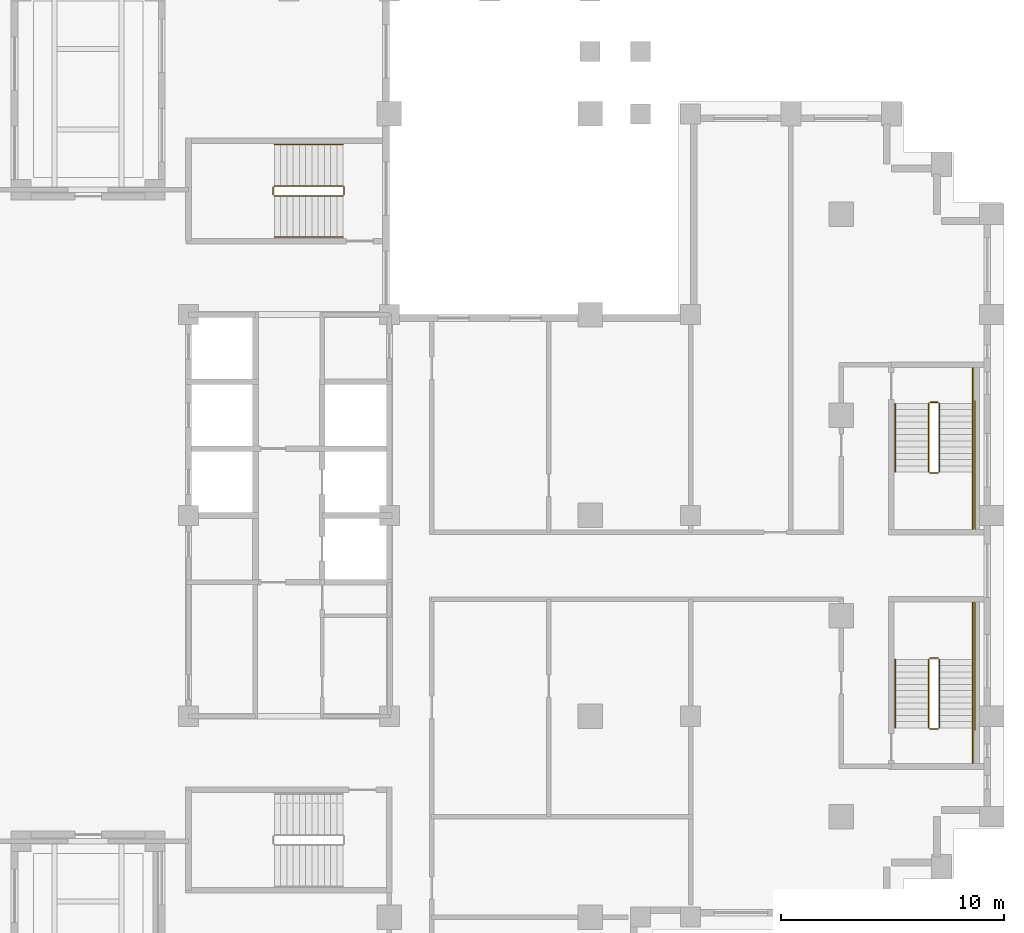
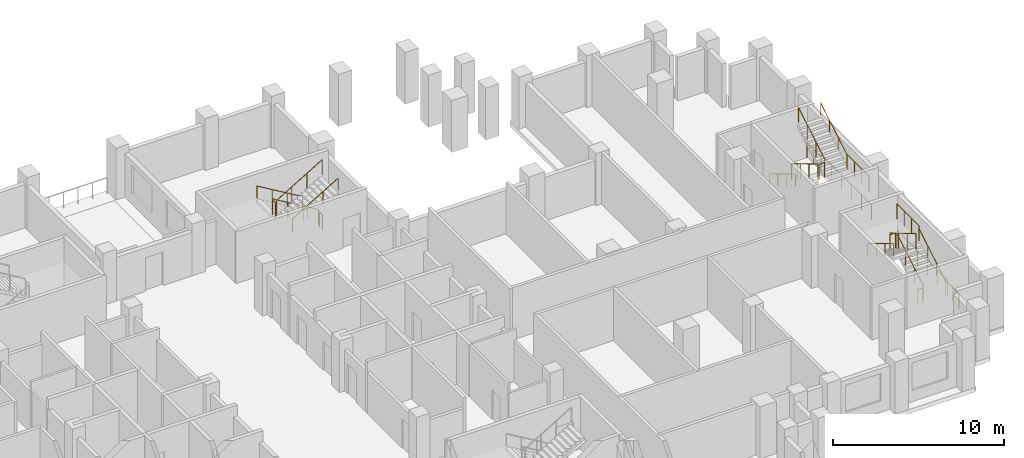
# One storey, part 12 of 12: 3 railings.
"""IFC4 building model written with IfcOpenShell, lengths in metres."""

import ifcopenshell
import ifcopenshell.guid

model = None  # the IFC model being written
_history = None  # IfcOwnerHistory: only IFC2X3 demands one
_inside = {}  # id of a spatial element -> (the spatial element, [elements in it])
_under = {}  # id of a project, library or spatial element -> (it, [spatial elements below it])
_declared = {}  # id of a project -> (the project, [libraries it declares])
_typed = {}  # id of a type object -> (the type object, [elements of that type])
_made_of = {}  # id of a material, layer set ... -> (it, [elements and type objects made of it])


def new_model(schema):
    """Start an empty IFC model of exactly this schema.

    Asked for "IFC4X3", IfcOpenShell would pick the latest addendum, in which some entities
    have other attributes; the version numbers below select the first issue.
    IFC2X3 requires an IfcOwnerHistory on every rooted entity: one is made here for all.
    """
    global model, _history
    if schema == "IFC4X3":
        model = ifcopenshell.file(schema_version=(4, 3, 0, 0))
    else:
        model = ifcopenshell.file(schema=schema)
    _inside.clear()
    _under.clear()
    _declared.clear()
    _typed.clear()
    _made_of.clear()
    _history = None
    if model.schema == "IFC2X3":
        org = make("IfcOrganization", Name="unknown")
        user = make(
            "IfcPersonAndOrganization",
            ThePerson=make("IfcPerson", FamilyName="unknown"),
            TheOrganization=org,
        )
        app = make(
            "IfcApplication",
            ApplicationDeveloper=org,
            Version="unknown",
            ApplicationFullName="unknown",
            ApplicationIdentifier="unknown",
        )
        _history = make(
            "IfcOwnerHistory",
            OwningUser=user,
            OwningApplication=app,
            ChangeAction="ADDED",
            CreationDate=0,
        )
    return model


def make(cls, **values):
    """One entity of the class cls with the attributes given. An attribute that is None is left unset."""
    return model.create_entity(
        cls, **{name: value for name, value in values.items() if value is not None}
    )


def rooted(cls, **values):
    """An entity with a GlobalId (a new one), such as an element, a storey or a relation."""
    return make(cls, GlobalId=ifcopenshell.guid.new(), OwnerHistory=_history, **values)


def si_unit(unit_type, name, prefix=None):
    """IfcSIUnit, for example si_unit("LENGTHUNIT", "METRE", prefix="MILLI")."""
    return make("IfcSIUnit", UnitType=unit_type, Prefix=prefix, Name=name)


def assignment(units):
    """IfcUnitAssignment: the units of a project."""
    return None if units is None else make("IfcUnitAssignment", Units=units)


def point(xyz):
    """IfcCartesianPoint."""
    return None if xyz is None else make("IfcCartesianPoint", Coordinates=xyz)


def direction(xyz):
    """IfcDirection."""
    return None if xyz is None else make("IfcDirection", DirectionRatios=xyz)


def frame(location, z_axis=None, x_axis=None):
    """IfcAxis2Placement3D, a coordinate frame: its origin and axes. An axis left out is left unset."""
    return make(
        "IfcAxis2Placement3D",
        Location=point(location),
        Axis=direction(z_axis),
        RefDirection=direction(x_axis),
    )


def frame_2d(location, x_axis=None):
    """IfcAxis2Placement2D, a coordinate frame in the plane: its origin and x axis."""
    return make(
        "IfcAxis2Placement2D", Location=point(location), RefDirection=direction(x_axis)
    )


def origin():
    """The frame at (0, 0, 0) with its axes left unset."""
    return frame((0.0, 0.0, 0.0))


def origin_2d():
    """The frame at (0, 0) in the plane with its x axis left unset."""
    return frame_2d((0.0, 0.0))


def place(relative_to, where):
    """IfcLocalPlacement: puts the frame where relative to a parent placement (None: the world)."""
    return make(
        "IfcLocalPlacement", PlacementRelTo=relative_to, RelativePlacement=where
    )


def context(
    kind, dimensions, precision=None, world=None, true_north=None, identifier=None
):
    """IfcGeometricRepresentationContext, for example the 3D "Model" context."""
    return make(
        "IfcGeometricRepresentationContext",
        ContextIdentifier=identifier,
        ContextType=kind,
        CoordinateSpaceDimension=dimensions,
        Precision=precision,
        WorldCoordinateSystem=world,
        TrueNorth=true_north,
    )


def subcontext(parent, identifier, kind, view, scale=None):
    """IfcGeometricRepresentationSubContext, for example "Body" below "Model"."""
    return make(
        "IfcGeometricRepresentationSubContext",
        ContextIdentifier=identifier,
        ContextType=kind,
        ParentContext=parent,
        TargetScale=scale,
        TargetView=view,
    )


def project(units=None, contexts=None):
    """IfcProject with its units and contexts."""
    return rooted(
        "IfcProject",
        Name="project",
        RepresentationContexts=contexts,
        UnitsInContext=assignment(units),
    )


def spatial(cls, under=None, at=None, **own):
    """A site, building, storey or space (cls), placed at a placement, below another one or the project."""
    s = rooted(cls, ObjectPlacement=at, **own)
    if under is not None:
        _under.setdefault(under.id(), (under, []))[1].append(s)
    return s


def profile(cls, at=None, kind="AREA", **sizes):
    """A parametric profile (cls). Its sizes go by their IFC names, for example OverallWidth=200.0."""
    return make(cls, ProfileType=kind, Position=at, **sizes)


def circle(**sizes):
    """IfcCircleProfileDef."""
    return profile("IfcCircleProfileDef", **sizes)


def extrude(swept, where, along, depth):
    """IfcExtrudedAreaSolid: the profile swept, set in the frame where, extruded along a direction by depth."""
    return make(
        "IfcExtrudedAreaSolid",
        SweptArea=swept,
        Position=where,
        ExtrudedDirection=direction(along),
        Depth=depth,
    )


def shape(context_of_items, identifier, shape_type, items):
    """IfcShapeRepresentation: the items that make up one representation, for example the "Body"."""
    return make(
        "IfcShapeRepresentation",
        ContextOfItems=context_of_items,
        RepresentationIdentifier=identifier,
        RepresentationType=shape_type,
        Items=items,
    )


def material(Name=None, Category=None):
    """IfcMaterial."""
    return make("IfcMaterial", Name=Name, Category=Category)


def made_of(thing, what):
    """Note that an element or type object is made of a material, layer set ...; save() writes the relation."""
    if what is not None:
        _made_of.setdefault(what.id(), (what, []))[1].append(thing)
    return thing


def type_object(cls, material=None, **own):
    """A type object (cls), such as IfcWallType, which elements share."""
    return made_of(rooted(cls, **own), material)


def element(
    cls,
    number,
    at=None,
    inside=None,
    cuts=None,
    type_object=None,
    material=None,
    context=None,
    identifier="Body",
    shape_type=None,
    held_by="IfcProductDefinitionShape",
    body=None,
    shapes=None,
    **own,
):
    """One element of the class cls, such as IfcWall. Its Tag is "e" and its number.

    at: its placement. inside: the storey or other place that contains it. cuts: it is an
    opening in that element (IfcRelVoidsElement). A single representation is given by context,
    identifier, shape_type and body (its items); several are given by shapes. held_by: the class
    of the entity that holds the representations. save() writes the other relations.
    """
    e = rooted(cls, Tag="e%d" % number, ObjectPlacement=at, **own)
    if body is not None:
        shapes = [shape(context, identifier, shape_type, body)]
    if shapes is not None:
        e.Representation = make(held_by, Representations=shapes)
    if inside is not None:
        _inside.setdefault(inside.id(), (inside, []))[1].append(e)
    if cuts is not None:
        rooted(
            "IfcRelVoidsElement", RelatingBuildingElement=cuts, RelatedOpeningElement=e
        )
    if type_object is not None:
        _typed.setdefault(type_object.id(), (type_object, []))[1].append(e)
    return made_of(e, material)


def aggregate(whole, parts):
    """IfcRelAggregates: a whole, such as a stair, and the parts it consists of."""
    return rooted("IfcRelAggregates", RelatingObject=whole, RelatedObjects=parts)


def save(model, path):
    """Write the relations noted so far, then the file.

    IfcRelAggregates (storeys below a building ...), IfcRelContainedInSpatialStructure (elements
    in a storey), IfcRelDefinesByType, IfcRelAssociatesMaterial and IfcRelDeclares: one each for
    every whole, place, type object, material and project.
    """
    for whole, parts in _under.values():
        aggregate(whole, parts)
    for where, things in _inside.values():
        rooted(
            "IfcRelContainedInSpatialStructure",
            RelatedElements=things,
            RelatingStructure=where,
        )
    for kind, things in _typed.values():
        rooted("IfcRelDefinesByType", RelatedObjects=things, RelatingType=kind)
    for what, things in _made_of.values():
        rooted("IfcRelAssociatesMaterial", RelatedObjects=things, RelatingMaterial=what)
    for by, libraries in _declared.values():
        rooted("IfcRelDeclares", RelatingContext=by, RelatedDefinitions=libraries)
    model.write(path)


model = new_model("IFC4")

# Units and contexts
model_context = context("Model", 3, precision=1e-05, world=origin(), true_north=direction((0.0, 1.0)))
body_context = subcontext(model_context, "Body", "Model", "MODEL_VIEW")
ifc_project = project(units=[si_unit("LENGTHUNIT", "METRE"), si_unit("AREAUNIT", "SQUARE_METRE"), si_unit("VOLUMEUNIT", "CUBIC_METRE"), si_unit("PLANEANGLEUNIT", "RADIAN"), si_unit("MASSUNIT", "GRAM", prefix="KILO")], contexts=[model_context])

# Site, building, storey
site_placement = place(None, origin())
site = spatial("IfcSite", under=ifc_project, at=site_placement, CompositionType="ELEMENT")
building_placement = place(site_placement, origin())
building = spatial("IfcBuilding", under=site, at=building_placement, Name="Corbelhall Arena Tower", CompositionType="ELEMENT")
storey_placement = place(building_placement, frame((0.0, 0.0, 126.0)))
storey = spatial("IfcBuildingStorey", under=building, at=storey_placement, Name="L23", CompositionType="ELEMENT", Elevation=126.0)

# Railings
ifc_material = material(Name="Steel ASTM A500 Gr C", Category="steel")
railing_type = type_object("IfcRailingType", Name="IN-GD-1100", PredefinedType="GUARDRAIL", material=ifc_material)
railing_1_placement = place(storey_placement, frame((11.425048828125, 14.77490234375, 0.166748046875)))
element("IfcRailing", 1, at=railing_1_placement, inside=storey, type_object=railing_type, Name="L23 ST3 stair guards and handrails", PredefinedType="GUARDRAIL", context=body_context, shape_type="SweptSolid", body=[
    extrude(circle(Radius=0.02392578125, at=origin_2d()), frame((0.0, 0.0, 1.076171875), z_axis=(-0.859308565015, 0.0, 0.511457515432), x_axis=(0.0, -1.0, 0.0)), (0.0, 0.0, 1.0), 3.58447265625),
    extrude(circle(Radius=0.02392578125, at=origin_2d()), frame((-3.130126953125, -0.0498046875, 2.9091796875), z_axis=(0.0, -1.0, 0.0), x_axis=(1.0, 0.0, 0.0)), (0.0, 0.0, 1.0), 0.35009765625),
    extrude(circle(Radius=0.02392578125, at=origin_2d()), frame((-3.080078125, -0.449951171875, 3.076171875), z_axis=(0.859308565015, 0.0, 0.511457515432), x_axis=(0.0, 1.0, 0.0)), (0.0, 0.0, 1.0), 3.58447265625),
    extrude(circle(Radius=0.02392578125, at=origin_2d()), frame((0.050048828125, -0.0498046875, 0.9091796875), z_axis=(0.0, -1.0, 0.0), x_axis=(1.0, 0.0, 0.0)), (0.0, 0.0, 1.0), 0.35009765625),
    extrude(circle(Radius=0.02392578125, at=origin_2d()), frame((0.0, 1.85009765625, 0.8759765625), z_axis=(-0.859308565015, 0.0, 0.511457515432), x_axis=(0.0, -1.0, 0.0)), (0.0, 0.0, 1.0), 3.58447265625),
    extrude(circle(Radius=0.02392578125, at=origin_2d()), frame((-3.080078125, -2.2998046875, 2.8759765625), z_axis=(0.859308565015, 0.0, 0.511457515432), x_axis=(0.0, 1.0, 0.0)), (0.0, 0.0, 1.0), 3.58447265625),
    extrude(circle(Radius=0.02099609375, at=origin_2d()), origin(), (0.0, 0.0, 1.0), 1.052001953125),
    extrude(circle(Radius=0.02099609375, at=origin_2d()), frame((-1.026611328125, 0.0, 0.611083984375)), (0.0, 0.0, 1.0), 1.052001953125),
    extrude(circle(Radius=0.02099609375, at=origin_2d()), frame((-2.053466796875, 0.0, 1.22216796875)), (0.0, 0.0, 1.0), 1.052001953125),
    extrude(circle(Radius=0.02099609375, at=origin_2d()), frame((-3.080078125, 0.0, 1.833251953125)), (0.0, 0.0, 1.0), 1.052001953125),
    extrude(circle(Radius=0.02099609375, at=origin_2d()), frame((-3.130126953125, -0.0498046875, 1.833251953125)), (0.0, 0.0, 1.0), 1.052001953125),
    extrude(circle(Radius=0.02099609375, at=origin_2d()), frame((-3.130126953125, -0.39990234375, 1.833251953125)), (0.0, 0.0, 1.0), 1.052001953125),
    extrude(circle(Radius=0.02099609375, at=origin_2d()), frame((-3.080078125, -0.449951171875, 2.0)), (0.0, 0.0, 1.0), 1.052001953125),
    extrude(circle(Radius=0.02099609375, at=origin_2d()), frame((-2.053466796875, -0.449951171875, 2.611083984375)), (0.0, 0.0, 1.0), 1.052001953125),
    extrude(circle(Radius=0.02099609375, at=origin_2d()), frame((-1.026611328125, -0.449951171875, 3.22216796875)), (0.0, 0.0, 1.0), 1.052001953125),
    extrude(circle(Radius=0.02099609375, at=origin_2d()), frame((0.0, -0.449951171875, 3.833251953125)), (0.0, 0.0, 1.0), 1.052001953125),
    extrude(circle(Radius=0.02099609375, at=origin_2d()), frame((0.050048828125, -0.0498046875, -0.166748046875)), (0.0, 0.0, 1.0), 1.052001953125),
    extrude(circle(Radius=0.02099609375, at=origin_2d()), frame((0.050048828125, -0.39990234375, -0.166748046875)), (0.0, 0.0, 1.0), 1.052001953125),
    extrude(circle(Radius=0.02099609375, at=origin_2d()), frame((0.0, 1.85009765625, 0.0)), (0.0, 0.0, 1.0), 0.851806640625),
    extrude(circle(Radius=0.02099609375, at=origin_2d()), frame((-1.026611328125, 1.85009765625, 0.611083984375)), (0.0, 0.0, 1.0), 0.851806640625),
    extrude(circle(Radius=0.02099609375, at=origin_2d()), frame((-2.053466796875, 1.85009765625, 1.22216796875)), (0.0, 0.0, 1.0), 0.851806640625),
    extrude(circle(Radius=0.02099609375, at=origin_2d()), frame((-3.080078125, 1.85009765625, 1.833251953125)), (0.0, 0.0, 1.0), 0.851806640625),
    extrude(circle(Radius=0.02099609375, at=origin_2d()), frame((-3.080078125, -2.2998046875, 2.0)), (0.0, 0.0, 1.0), 0.851806640625),
    extrude(circle(Radius=0.02099609375, at=origin_2d()), frame((-2.053466796875, -2.2998046875, 2.611083984375)), (0.0, 0.0, 1.0), 0.851806640625),
    extrude(circle(Radius=0.02099609375, at=origin_2d()), frame((-1.026611328125, -2.2998046875, 3.22216796875)), (0.0, 0.0, 1.0), 0.851806640625),
    extrude(circle(Radius=0.02099609375, at=origin_2d()), frame((0.0, -2.2998046875, 3.833251953125)), (0.0, 0.0, 1.0), 0.851806640625),
])
railing_2_placement = place(storey_placement, frame((38.14990234375, -9.52490234375, 0.166748046875)))
element("IfcRailing", 2, at=railing_2_placement, inside=storey, type_object=railing_type, Name="L23 SD1 stair guards and handrails", PredefinedType="GUARDRAIL", context=body_context, shape_type="SweptSolid", body=[
    extrude(circle(Radius=0.02392578125, at=origin_2d()), frame((0.0, 0.0, 1.076171875), z_axis=(0.0, 0.859290745958, 0.51148745235), x_axis=(-1.0, 0.0, 0.0)), (0.0, 0.0, 1.0), 3.584228515625),
    extrude(circle(Radius=0.02392578125, at=origin_2d()), frame((-0.0498046875, 3.1298828125, 2.9091796875), z_axis=(-1.0, 0.0, 0.0), x_axis=(0.0, -1.0, 0.0)), (0.0, 0.0, 1.0), 0.375),
    extrude(circle(Radius=0.02392578125, at=origin_2d()), frame((1.5, 3.079833984375, 2.9091796875), z_axis=(0.0, 1.0, 0.0), x_axis=(-1.0, 0.0, 0.0)), (0.0, 0.0, 1.0), 2.570068359375),
    extrude(circle(Radius=0.02392578125, at=origin_2d()), frame((-0.474853515625, 3.079833984375, 3.076171875), z_axis=(0.0, -0.859290745958, 0.51148745235), x_axis=(1.0, 0.0, 0.0)), (0.0, 0.0, 1.0), 3.584228515625),
    extrude(circle(Radius=0.02392578125, at=origin_2d()), frame((-0.0498046875, -0.050048828125, 0.9091796875), z_axis=(-1.0, 0.0, 0.0), x_axis=(0.0, -1.0, 0.0)), (0.0, 0.0, 1.0), 0.375),
    extrude(circle(Radius=0.02392578125, at=origin_2d()), frame((1.5, -1.60009765625, 0.9091796875), z_axis=(0.0, 1.0, 0.0), x_axis=(-1.0, 0.0, 0.0)), (0.0, 0.0, 1.0), 1.60009765625),
    extrude(circle(Radius=0.02392578125, at=origin_2d()), frame((1.60009765625, -0.10009765625, 0.9091796875), z_axis=(0.0, 1.0, 0.0), x_axis=(-1.0, 0.0, 0.0)), (0.0, 0.0, 1.0), 5.85009765625),
    extrude(circle(Radius=0.02392578125, at=origin_2d()), frame((1.5, 0.0, 0.8759765625), z_axis=(0.0, 0.859290745958, 0.51148745235), x_axis=(-1.0, 0.0, 0.0)), (0.0, 0.0, 1.0), 3.584228515625),
    extrude(circle(Radius=0.02392578125, at=origin_2d()), frame((-1.974853515625, 3.079833984375, 2.8759765625), z_axis=(0.0, -0.859290745958, 0.51148745235), x_axis=(1.0, 0.0, 0.0)), (0.0, 0.0, 1.0), 3.584228515625),
    extrude(circle(Radius=0.02099609375, at=origin_2d()), origin(), (0.0, 0.0, 1.0), 1.052001953125),
    extrude(circle(Radius=0.02099609375, at=origin_2d()), frame((0.0, 1.026611328125, 0.611083984375)), (0.0, 0.0, 1.0), 1.052001953125),
    extrude(circle(Radius=0.02099609375, at=origin_2d()), frame((0.0, 2.05322265625, 1.22216796875)), (0.0, 0.0, 1.0), 1.052001953125),
    extrude(circle(Radius=0.02099609375, at=origin_2d()), frame((0.0, 3.079833984375, 1.833251953125)), (0.0, 0.0, 1.0), 1.052001953125),
    extrude(circle(Radius=0.02099609375, at=origin_2d()), frame((-0.0498046875, 3.1298828125, 1.833251953125)), (0.0, 0.0, 1.0), 1.052001953125),
    extrude(circle(Radius=0.02099609375, at=origin_2d()), frame((-0.4248046875, 3.1298828125, 1.833251953125)), (0.0, 0.0, 1.0), 1.052001953125),
    extrude(circle(Radius=0.02099609375, at=origin_2d()), frame((1.5, 3.079833984375, 1.833251953125)), (0.0, 0.0, 1.0), 1.052001953125),
    extrude(circle(Radius=0.02099609375, at=origin_2d()), frame((1.5, 3.9365234375, 1.833251953125)), (0.0, 0.0, 1.0), 1.052001953125),
    extrude(circle(Radius=0.02099609375, at=origin_2d()), frame((1.5, 4.793212890625, 1.833251953125)), (0.0, 0.0, 1.0), 1.052001953125),
    extrude(circle(Radius=0.02099609375, at=origin_2d()), frame((1.5, 5.64990234375, 1.833251953125)), (0.0, 0.0, 1.0), 1.052001953125),
    extrude(circle(Radius=0.02099609375, at=origin_2d()), frame((-0.474853515625, 3.079833984375, 2.0)), (0.0, 0.0, 1.0), 1.052001953125),
    extrude(circle(Radius=0.02099609375, at=origin_2d()), frame((-0.474853515625, 2.05322265625, 2.611083984375)), (0.0, 0.0, 1.0), 1.052001953125),
    extrude(circle(Radius=0.02099609375, at=origin_2d()), frame((-0.474853515625, 1.026611328125, 3.22216796875)), (0.0, 0.0, 1.0), 1.052001953125),
    extrude(circle(Radius=0.02099609375, at=origin_2d()), frame((-0.474853515625, 0.0, 3.833251953125)), (0.0, 0.0, 1.0), 1.052001953125),
    extrude(circle(Radius=0.02099609375, at=origin_2d()), frame((-0.0498046875, -0.050048828125, -0.166748046875)), (0.0, 0.0, 1.0), 1.052001953125),
    extrude(circle(Radius=0.02099609375, at=origin_2d()), frame((-0.4248046875, -0.050048828125, -0.166748046875)), (0.0, 0.0, 1.0), 1.052001953125),
    extrude(circle(Radius=0.02099609375, at=origin_2d()), frame((1.5, -1.60009765625, -0.166748046875)), (0.0, 0.0, 1.0), 1.052001953125),
    extrude(circle(Radius=0.02099609375, at=origin_2d()), frame((1.5, -0.800048828125, -0.166748046875)), (0.0, 0.0, 1.0), 1.052001953125),
    extrude(circle(Radius=0.02099609375, at=origin_2d()), frame((1.5, 0.0, -0.166748046875)), (0.0, 0.0, 1.0), 1.052001953125),
    extrude(circle(Radius=0.02099609375, at=origin_2d()), frame((1.60009765625, -0.10009765625, -0.166748046875)), (0.0, 0.0, 1.0), 1.052001953125),
    extrude(circle(Radius=0.02099609375, at=origin_2d()), frame((1.60009765625, 1.06982421875, -0.166748046875)), (0.0, 0.0, 1.0), 1.052001953125),
    extrude(circle(Radius=0.02099609375, at=origin_2d()), frame((1.60009765625, 2.239990234375, -0.166748046875)), (0.0, 0.0, 1.0), 1.052001953125),
    extrude(circle(Radius=0.02099609375, at=origin_2d()), frame((1.60009765625, 3.409912109375, -0.166748046875)), (0.0, 0.0, 1.0), 1.052001953125),
    extrude(circle(Radius=0.02099609375, at=origin_2d()), frame((1.60009765625, 4.580078125, -0.166748046875)), (0.0, 0.0, 1.0), 1.052001953125),
    extrude(circle(Radius=0.02099609375, at=origin_2d()), frame((1.60009765625, 5.75, -0.166748046875)), (0.0, 0.0, 1.0), 1.052001953125),
    extrude(circle(Radius=0.02099609375, at=origin_2d()), frame((1.5, 0.0, 0.0)), (0.0, 0.0, 1.0), 0.851806640625),
    extrude(circle(Radius=0.02099609375, at=origin_2d()), frame((1.5, 1.026611328125, 0.611083984375)), (0.0, 0.0, 1.0), 0.851806640625),
    extrude(circle(Radius=0.02099609375, at=origin_2d()), frame((1.5, 2.05322265625, 1.22216796875)), (0.0, 0.0, 1.0), 0.851806640625),
    extrude(circle(Radius=0.02099609375, at=origin_2d()), frame((-1.974853515625, 3.079833984375, 2.0)), (0.0, 0.0, 1.0), 0.851806640625),
    extrude(circle(Radius=0.02099609375, at=origin_2d()), frame((-1.974853515625, 2.05322265625, 2.611083984375)), (0.0, 0.0, 1.0), 0.851806640625),
    extrude(circle(Radius=0.02099609375, at=origin_2d()), frame((-1.974853515625, 1.026611328125, 3.22216796875)), (0.0, 0.0, 1.0), 0.851806640625),
    extrude(circle(Radius=0.02099609375, at=origin_2d()), frame((-1.974853515625, 0.0, 3.833251953125)), (0.0, 0.0, 1.0), 0.851806640625),
])
railing_3_placement = place(storey_placement, frame((37.675048828125, 5.02490234375, 0.166748046875)))
element("IfcRailing", 3, at=railing_3_placement, inside=storey, type_object=railing_type, Name="L23 SD2 stair guards and handrails", PredefinedType="GUARDRAIL", context=body_context, shape_type="SweptSolid", body=[
    extrude(circle(Radius=0.02392578125, at=origin_2d()), frame((0.0, 0.0, 1.076171875), z_axis=(0.0, -0.859290745958, 0.51148745235), x_axis=(1.0, 0.0, 0.0)), (0.0, 0.0, 1.0), 3.584228515625),
    extrude(circle(Radius=0.02392578125, at=origin_2d()), frame((0.050048828125, -3.1298828125, 2.9091796875), z_axis=(1.0, 0.0, 0.0), x_axis=(0.0, 1.0, 0.0)), (0.0, 0.0, 1.0), 0.375),
    extrude(circle(Radius=0.02392578125, at=origin_2d()), frame((1.974853515625, -3.079833984375, 2.9091796875), z_axis=(0.0, -1.0, 0.0), x_axis=(1.0, 0.0, 0.0)), (0.0, 0.0, 1.0), 2.570068359375),
    extrude(circle(Radius=0.02392578125, at=origin_2d()), frame((0.474853515625, -3.079833984375, 3.076171875), z_axis=(0.0, 0.859290745958, 0.51148745235), x_axis=(-1.0, 0.0, 0.0)), (0.0, 0.0, 1.0), 3.584228515625),
    extrude(circle(Radius=0.02392578125, at=origin_2d()), frame((0.050048828125, 0.050048828125, 0.9091796875), z_axis=(1.0, 0.0, 0.0), x_axis=(0.0, 1.0, 0.0)), (0.0, 0.0, 1.0), 0.375),
    extrude(circle(Radius=0.02392578125, at=origin_2d()), frame((1.974853515625, 1.60009765625, 0.9091796875), z_axis=(0.0, -1.0, 0.0), x_axis=(1.0, 0.0, 0.0)), (0.0, 0.0, 1.0), 1.60009765625),
    extrude(circle(Radius=0.02392578125, at=origin_2d()), frame((2.074951171875, 0.10009765625, 0.9091796875), z_axis=(0.0, -1.0, 0.0), x_axis=(1.0, 0.0, 0.0)), (0.0, 0.0, 1.0), 5.85009765625),
    extrude(circle(Radius=0.02392578125, at=origin_2d()), frame((-1.5, 0.0, 0.8759765625), z_axis=(0.0, -0.859290745958, 0.51148745235), x_axis=(1.0, 0.0, 0.0)), (0.0, 0.0, 1.0), 3.584228515625),
    extrude(circle(Radius=0.02392578125, at=origin_2d()), frame((1.974853515625, -3.079833984375, 2.8759765625), z_axis=(0.0, 0.859290745958, 0.51148745235), x_axis=(-1.0, 0.0, 0.0)), (0.0, 0.0, 1.0), 3.584228515625),
    extrude(circle(Radius=0.02099609375, at=origin_2d()), origin(), (0.0, 0.0, 1.0), 1.052001953125),
    extrude(circle(Radius=0.02099609375, at=origin_2d()), frame((0.0, -1.026611328125, 0.611083984375)), (0.0, 0.0, 1.0), 1.052001953125),
    extrude(circle(Radius=0.02099609375, at=origin_2d()), frame((0.0, -2.05322265625, 1.22216796875)), (0.0, 0.0, 1.0), 1.052001953125),
    extrude(circle(Radius=0.02099609375, at=origin_2d()), frame((0.0, -3.079833984375, 1.833251953125)), (0.0, 0.0, 1.0), 1.052001953125),
    extrude(circle(Radius=0.02099609375, at=origin_2d()), frame((0.050048828125, -3.1298828125, 1.833251953125)), (0.0, 0.0, 1.0), 1.052001953125),
    extrude(circle(Radius=0.02099609375, at=origin_2d()), frame((0.425048828125, -3.1298828125, 1.833251953125)), (0.0, 0.0, 1.0), 1.052001953125),
    extrude(circle(Radius=0.02099609375, at=origin_2d()), frame((1.974853515625, -3.079833984375, 1.833251953125)), (0.0, 0.0, 1.0), 1.052001953125),
    extrude(circle(Radius=0.02099609375, at=origin_2d()), frame((1.974853515625, -3.9365234375, 1.833251953125)), (0.0, 0.0, 1.0), 1.052001953125),
    extrude(circle(Radius=0.02099609375, at=origin_2d()), frame((1.974853515625, -4.793212890625, 1.833251953125)), (0.0, 0.0, 1.0), 1.052001953125),
    extrude(circle(Radius=0.02099609375, at=origin_2d()), frame((1.974853515625, -5.64990234375, 1.833251953125)), (0.0, 0.0, 1.0), 1.052001953125),
    extrude(circle(Radius=0.02099609375, at=origin_2d()), frame((0.474853515625, -3.079833984375, 2.0)), (0.0, 0.0, 1.0), 1.052001953125),
    extrude(circle(Radius=0.02099609375, at=origin_2d()), frame((0.474853515625, -2.05322265625, 2.611083984375)), (0.0, 0.0, 1.0), 1.052001953125),
    extrude(circle(Radius=0.02099609375, at=origin_2d()), frame((0.474853515625, -1.026611328125, 3.22216796875)), (0.0, 0.0, 1.0), 1.052001953125),
    extrude(circle(Radius=0.02099609375, at=origin_2d()), frame((0.474853515625, 0.0, 3.833251953125)), (0.0, 0.0, 1.0), 1.052001953125),
    extrude(circle(Radius=0.02099609375, at=origin_2d()), frame((0.050048828125, 0.050048828125, -0.166748046875)), (0.0, 0.0, 1.0), 1.052001953125),
    extrude(circle(Radius=0.02099609375, at=origin_2d()), frame((0.425048828125, 0.050048828125, -0.166748046875)), (0.0, 0.0, 1.0), 1.052001953125),
    extrude(circle(Radius=0.02099609375, at=origin_2d()), frame((1.974853515625, 1.60009765625, -0.166748046875)), (0.0, 0.0, 1.0), 1.052001953125),
    extrude(circle(Radius=0.02099609375, at=origin_2d()), frame((1.974853515625, 0.800048828125, -0.166748046875)), (0.0, 0.0, 1.0), 1.052001953125),
    extrude(circle(Radius=0.02099609375, at=origin_2d()), frame((1.974853515625, 0.0, -0.166748046875)), (0.0, 0.0, 1.0), 1.052001953125),
    extrude(circle(Radius=0.02099609375, at=origin_2d()), frame((2.074951171875, 0.10009765625, -0.166748046875)), (0.0, 0.0, 1.0), 1.052001953125),
    extrude(circle(Radius=0.02099609375, at=origin_2d()), frame((2.074951171875, -1.06982421875, -0.166748046875)), (0.0, 0.0, 1.0), 1.052001953125),
    extrude(circle(Radius=0.02099609375, at=origin_2d()), frame((2.074951171875, -2.239990234375, -0.166748046875)), (0.0, 0.0, 1.0), 1.052001953125),
    extrude(circle(Radius=0.02099609375, at=origin_2d()), frame((2.074951171875, -3.409912109375, -0.166748046875)), (0.0, 0.0, 1.0), 1.052001953125),
    extrude(circle(Radius=0.02099609375, at=origin_2d()), frame((2.074951171875, -4.580078125, -0.166748046875)), (0.0, 0.0, 1.0), 1.052001953125),
    extrude(circle(Radius=0.02099609375, at=origin_2d()), frame((2.074951171875, -5.75, -0.166748046875)), (0.0, 0.0, 1.0), 1.052001953125),
    extrude(circle(Radius=0.02099609375, at=origin_2d()), frame((-1.5, 0.0, 0.0)), (0.0, 0.0, 1.0), 0.851806640625),
    extrude(circle(Radius=0.02099609375, at=origin_2d()), frame((-1.5, -1.026611328125, 0.611083984375)), (0.0, 0.0, 1.0), 0.851806640625),
    extrude(circle(Radius=0.02099609375, at=origin_2d()), frame((-1.5, -2.05322265625, 1.22216796875)), (0.0, 0.0, 1.0), 0.851806640625),
    extrude(circle(Radius=0.02099609375, at=origin_2d()), frame((-1.5, -3.079833984375, 1.833251953125)), (0.0, 0.0, 1.0), 0.851806640625),
    extrude(circle(Radius=0.02099609375, at=origin_2d()), frame((1.974853515625, -3.079833984375, 2.0)), (0.0, 0.0, 1.0), 0.851806640625),
    extrude(circle(Radius=0.02099609375, at=origin_2d()), frame((1.974853515625, -2.05322265625, 2.611083984375)), (0.0, 0.0, 1.0), 0.851806640625),
    extrude(circle(Radius=0.02099609375, at=origin_2d()), frame((1.974853515625, -1.026611328125, 3.22216796875)), (0.0, 0.0, 1.0), 0.851806640625),
    extrude(circle(Radius=0.02099609375, at=origin_2d()), frame((1.974853515625, 0.0, 3.833251953125)), (0.0, 0.0, 1.0), 0.851806640625),
])

save(model, "model.ifc")
